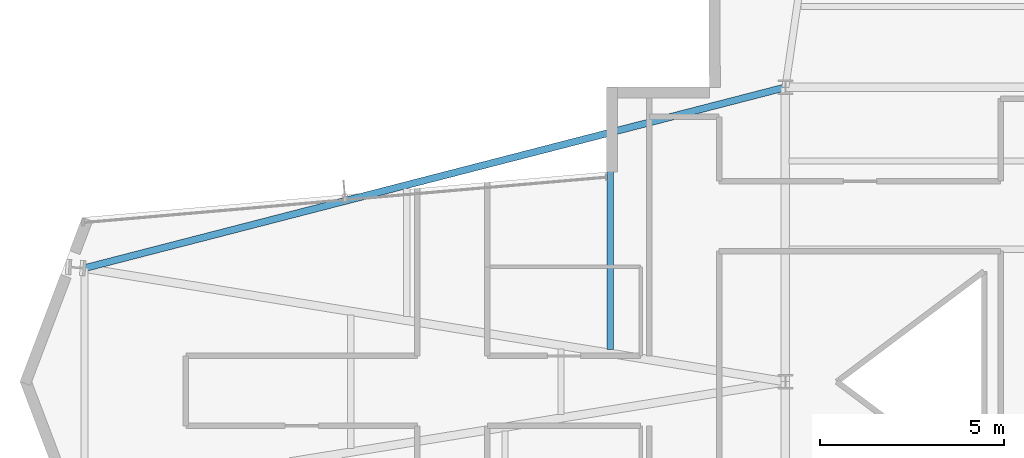
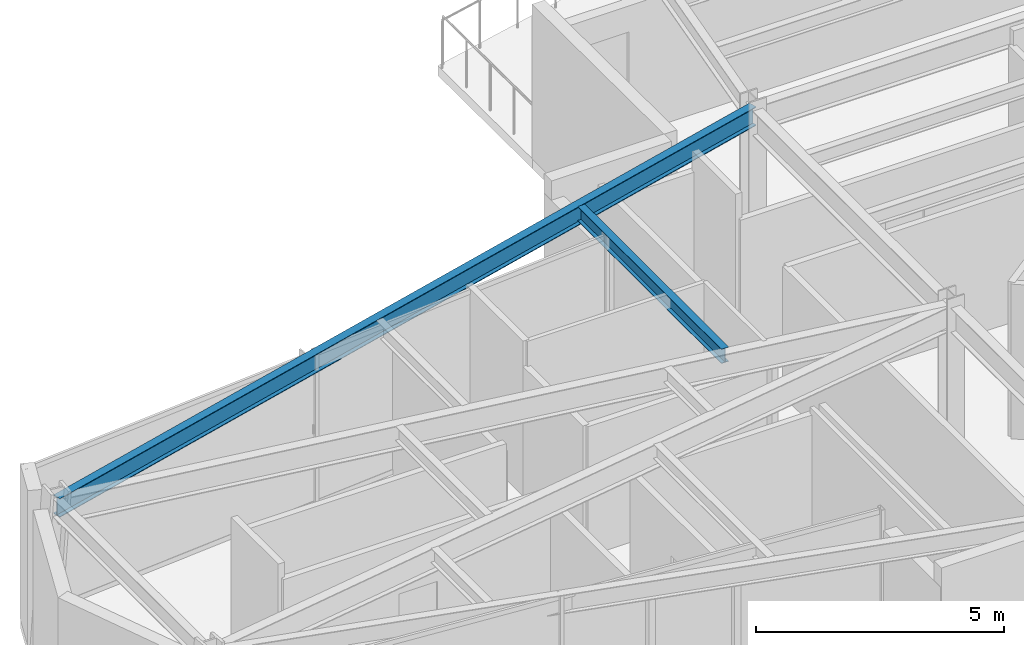
# One storey, part 10 of 23: 2 beams.
"""IFC4 building model written with IfcOpenShell, lengths in metres."""

from ifc_helpers import new_model, si_unit, direction, frame, origin, origin_2d, place, context, subcontext, project, spatial, i_section, extrude, material, material_profile, profile_set, type_object, element, save


model = new_model("IFC4")

# Units and contexts
model_context = context("Model", 3, precision=1e-05, world=origin(), true_north=direction((0.0, 1.0)))
body_context = subcontext(model_context, "Body", "Model", "MODEL_VIEW")
ifc_project = project(units=[si_unit("LENGTHUNIT", "METRE"), si_unit("AREAUNIT", "SQUARE_METRE"), si_unit("VOLUMEUNIT", "CUBIC_METRE"), si_unit("PLANEANGLEUNIT", "RADIAN"), si_unit("MASSUNIT", "GRAM", prefix="KILO")], contexts=[model_context])

# Site, building, storey
site_placement = place(None, origin())
site = spatial("IfcSite", under=ifc_project, at=site_placement, CompositionType="ELEMENT")
building_placement = place(site_placement, origin())
building = spatial("IfcBuilding", under=site, at=building_placement, Name="Veymaron Broadcast Tower", CompositionType="ELEMENT")
storey_placement = place(building_placement, frame((0.0, 0.0, 165.449951171875)))
storey = spatial("IfcBuildingStorey", under=building, at=storey_placement, Name="L38", CompositionType="ELEMENT", Elevation=165.449951171875)

# Beams
ifc_material = material(Name="Structural steel ASTM A992 Gr 50", Category="steel")
ifc_material_profile_1 = material_profile(ifc_material, i_section(OverallWidth=0.1708984375, OverallDepth=0.35498046875, WebThickness=0.007080078125, FlangeThickness=0.01171875, at=origin_2d()), Name="W360X51")
ifc_profile_set_1 = profile_set([ifc_material_profile_1], Name="Structural steel ASTM A992 Gr 50")
beam_type_1 = type_object("IfcBeamType", Name="BM-JS2", PredefinedType="JOIST", material=ifc_profile_set_1)
beam_1_placement = place(storey_placement, frame((26.436767578125, 24.871337890625, 3.632568359375), z_axis=(0.0, 1.0, 0.0), x_axis=(-1.0, 0.0, 0.0)))
element("IfcBeam", 1, at=beam_1_placement, inside=storey, type_object=beam_type_1, Name="L38 Arm-A secondary joist 2N", PredefinedType="JOIST", context=body_context, shape_type="SweptSolid", body=[
    extrude(i_section(OverallWidth=0.1708984375, OverallDepth=0.35498046875, WebThickness=0.007080078125, FlangeThickness=0.01171875, at=origin_2d()), origin(), (0.0, 0.0, 1.0), 5.800048828125),
])
ifc_material_profile_2 = material_profile(ifc_material, i_section(OverallWidth=0.19091796875, OverallDepth=0.4599609375, WebThickness=0.010009765625, FlangeThickness=0.01611328125, at=origin_2d()), Name="W460X82")
ifc_profile_set_2 = profile_set([ifc_material_profile_2], Name="Structural steel ASTM A992 Gr 50")
beam_type_2 = type_object("IfcBeamType", Name="BM-SP1", PredefinedType="SPANDREL", material=ifc_profile_set_2)
beam_2_placement = place(storey_placement, frame((12.14697265625, 27.0849609375, 3.580078125), z_axis=(0.968300173822, 0.249789458097, 0.0), x_axis=(-0.249789458097, 0.968300173822, 0.0)))
element("IfcBeam", 2, at=beam_2_placement, inside=storey, type_object=beam_type_2, Name="L38 primary structural floor girder", PredefinedType="SPANDREL", context=body_context, shape_type="SweptSolid", body=[
    extrude(i_section(OverallWidth=0.19091796875, OverallDepth=0.4599609375, WebThickness=0.010009765625, FlangeThickness=0.01611328125, at=origin_2d()), origin(), (0.0, 0.0, 1.0), 19.6767578125),
])

save(model, "model.ifc")
